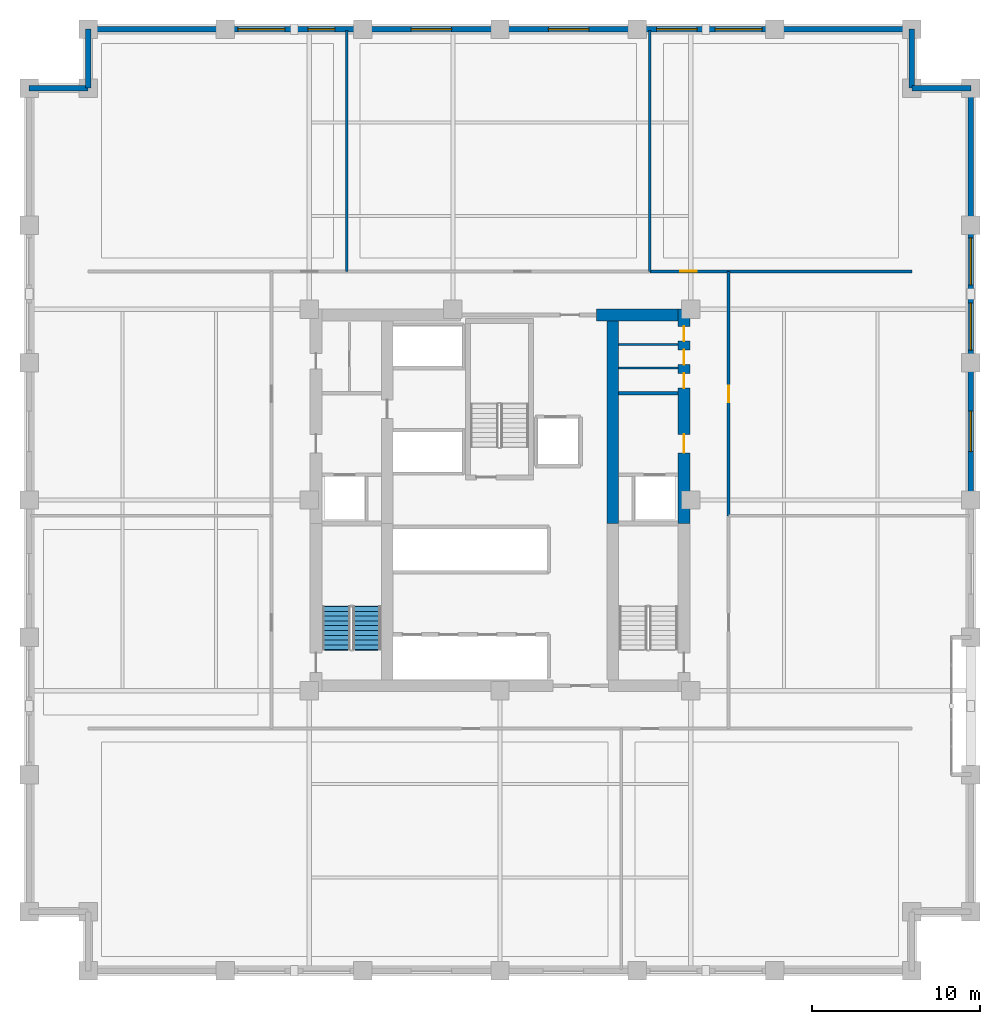
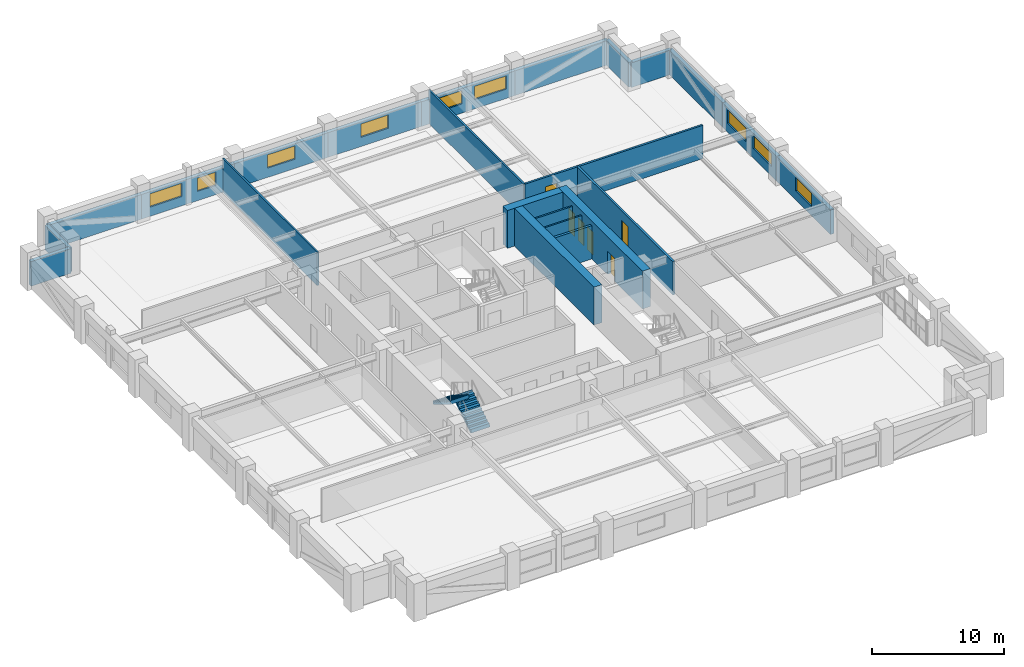
# One storey, part 6 of 12: 23 walls, 9 windows, 6 doors, 2 stair flights, 15 openings, 1 element without a shape of its own.
"""IFC4 building model written with IfcOpenShell, lengths in metres."""

from ifc_helpers import new_model, si_unit, direction, frame, frame_2d, origin, place, context, subcontext, project, spatial, polyline, rectangle, outline, extrude, material, layer, layer_set, type_object, element, fill, aggregate, save


model = new_model("IFC4")

# Units and contexts
model_context = context("Model", 3, precision=1e-05, world=origin(), true_north=direction((0.0, 1.0)))
body_context = subcontext(model_context, "Body", "Model", "MODEL_VIEW")
ifc_project = project(units=[si_unit("LENGTHUNIT", "METRE"), si_unit("AREAUNIT", "SQUARE_METRE"), si_unit("VOLUMEUNIT", "CUBIC_METRE"), si_unit("PLANEANGLEUNIT", "RADIAN"), si_unit("MASSUNIT", "GRAM", prefix="KILO")], contexts=[model_context])

# Site, building, storey
site_placement = place(None, origin())
site = spatial("IfcSite", under=ifc_project, at=site_placement, CompositionType="ELEMENT")
building_placement = place(site_placement, origin())
building = spatial("IfcBuilding", under=site, at=building_placement, Name="Nhamokura Convention Tower", CompositionType="ELEMENT")
storey_placement = place(building_placement, frame((0.0, 0.0, 96.25)))
storey = spatial("IfcBuildingStorey", under=building, at=storey_placement, Name="L23", CompositionType="ELEMENT", Elevation=96.25)

# Walls
ifc_material_1 = material(Name="Moisture-resistant tile-backer partition", Category="masonry")
ifc_layer_1 = layer(ifc_material_1, 0.139892578125)
ifc_layer_set_1 = layer_set([ifc_layer_1], Name="BathroomWetWall_140")
wall_type_1 = type_object("IfcWallType", Name="BathroomWetWall_140", PredefinedType="STANDARD", material=ifc_layer_set_1)
for number, where, z_axis, x_axis, name in (
    (1, (39.06005859375, 39.85009765625, 0.0), (0.0, 0.0, 1.0), (1.0, 0.0, 0.0), "L23 Wall INT-L23-CWNE1"),
    (2, (39.06005859375, 41.25, 0.0), (0.0, 0.0, 1.0), (1.0, 0.0, 0.0), "L23 Wall INT-L23-CWNE2"),
):
    element("IfcWall", number, at=place(storey_placement, frame(where, z_axis=z_axis, x_axis=x_axis)), inside=storey, type_object=wall_type_1, Name=name, PredefinedType="STANDARD", context=body_context, shape_type="SweptSolid", body=[
        extrude(rectangle(XDim=3.530029296875, YDim=0.139892578125, at=frame_2d((1.76513671875, 0.0))), origin(), (0.0, 0.0, 1.0), 3.080078125),
    ])
ifc_material_2 = material(Name="Bronze-pigmented precast concrete C45/55", Category="concrete")
ifc_layer_2 = layer(ifc_material_2, 0.320068359375)
ifc_layer_set_2 = layer_set([ifc_layer_2], Name="BronzePrecastSpandrel_320")
wall_type_2 = type_object("IfcWallType", Name="BronzePrecastSpandrel_320", PredefinedType="USERDEFINED", material=ifc_layer_set_2)
wall_1_placement = place(storey_placement, frame((7.5, 60.0, 0.0), z_axis=(0.0, 0.0, 1.0), x_axis=(1.0, 0.0, 0.0)))
element("IfcWall", 3, at=wall_1_placement, inside=storey, type_object=wall_type_2, Name="L23 Braced-Bay Precast Wall NORTH 0", ObjectType="SPANDREL_WALL", PredefinedType="USERDEFINED", context=body_context, shape_type="SweptSolid", body=[
    extrude(rectangle(XDim=8.166748046875, YDim=0.320068359375, at=frame_2d((4.08349609375, 0.0))), origin(), (0.0, 0.0, 1.0), 2.280029296875),
])

# Wall, openings, windows
wall_2_placement = place(storey_placement, frame((15.666748046875, 60.0, 0.0), z_axis=(0.0, 0.0, 1.0), x_axis=(1.0, 0.0, 0.0)))
wall_2 = element("IfcWall", 4, at=wall_2_placement, inside=storey, type_object=wall_type_2, Name="L23 Masonry-Frame Wall NORTH 1", ObjectType="SPANDREL_WALL", PredefinedType="USERDEFINED", context=body_context, shape_type="SweptSolid", body=[
    extrude(rectangle(XDim=8.16650390625, YDim=0.320068359375, at=frame_2d((4.083251953125, 0.0))), origin(), (0.0, 0.0, 1.0), 2.280029296875),
])
opening_1_placement = place(wall_2_placement, frame((0.74169921875, 0.0, 0.85009765625)))
opening_1 = element("IfcOpeningElement", 5, at=opening_1_placement, cuts=wall_2, Name="Opening W-04", PredefinedType="OPENING", context=body_context, shape_type="SweptSolid", body=[
    extrude(rectangle(XDim=2.800048828125, YDim=1.22998046875, at=frame_2d((1.39990234375, 0.614990234375))), frame((0.0, 0.169921875, 0.0), z_axis=(0.0, -1.0, 0.0), x_axis=(1.0, 0.0, 0.0)), (0.0, 0.0, 1.0), 0.340087890625),
])
opening_2_placement = place(wall_2_placement, frame((4.912353515625, 0.0, 0.85009765625)))
opening_2 = element("IfcOpeningElement", 6, at=opening_2_placement, cuts=wall_2, Name="Opening W-11", PredefinedType="OPENING", context=body_context, shape_type="SweptSolid", body=[
    extrude(rectangle(XDim=1.60009765625, YDim=1.22998046875, at=frame_2d((0.800048828125, 0.614990234375))), frame((0.0, 0.169921875, 0.0), z_axis=(0.0, -1.0, 0.0), x_axis=(1.0, 0.0, 0.0)), (0.0, 0.0, 1.0), 0.340087890625),
])
ifc_material_3 = material(Name="Solar-control bronze low-E double glass", Category="glass")
window_type_1 = type_object("IfcWindowType", Name="HotelSuiteWindow_2800", PartitioningType="DOUBLE_PANEL_VERTICAL", PredefinedType="WINDOW", material=ifc_material_3)
window_1_placement = place(opening_1_placement, origin())
window_1 = element("IfcWindow", 7, at=window_1_placement, inside=storey, type_object=window_type_1, Name="L23 Facade Window NORTH 1-1", OverallHeight=1.22998046875, OverallWidth=2.800048828125, PartitioningType="SINGLE_PANEL", PredefinedType="WINDOW", context=body_context, shape_type="SweptSolid", body=[
    extrude(rectangle(XDim=2.800048828125, YDim=1.22998046875, at=frame_2d((1.39990234375, 0.614990234375))), frame((0.0, 0.030029296875, 0.0), z_axis=(0.0, -1.0, 0.0), x_axis=(1.0, 0.0, 0.0)), (0.0, 0.0, 1.0), 0.06005859375),
])
fill(opening_1, window_1)
ifc_material_4 = material(Name="Solar-control bronze low-E double glass", Category="glass")
window_type_2 = type_object("IfcWindowType", Name="NotchCornerWindow_1600", PartitioningType="SINGLE_PANEL", PredefinedType="WINDOW", material=ifc_material_4)
window_2_placement = place(opening_2_placement, origin())
window_2 = element("IfcWindow", 8, at=window_2_placement, inside=storey, type_object=window_type_2, Name="L23 Facade Window NORTH 1-2", OverallHeight=1.22998046875, OverallWidth=1.60009765625, PartitioningType="SINGLE_PANEL", PredefinedType="WINDOW", context=body_context, shape_type="SweptSolid", body=[
    extrude(rectangle(XDim=1.60009765625, YDim=1.22998046875, at=frame_2d((0.800048828125, 0.614990234375))), frame((0.0, 0.030029296875, 0.0), z_axis=(0.0, -1.0, 0.0), x_axis=(1.0, 0.0, 0.0)), (0.0, 0.0, 1.0), 0.06005859375),
])
fill(opening_2, window_2)

# Wall, opening, window
wall_3_placement = place(storey_placement, frame((23.833251953125, 60.0, 0.0), z_axis=(0.0, 0.0, 1.0), x_axis=(1.0, 0.0, 0.0)))
wall_3 = element("IfcWall", 9, at=wall_3_placement, inside=storey, type_object=wall_type_2, Name="L23 Masonry-Frame Wall NORTH 2", ObjectType="SPANDREL_WALL", PredefinedType="USERDEFINED", context=body_context, shape_type="SweptSolid", body=[
    extrude(rectangle(XDim=8.166748046875, YDim=0.320068359375, at=frame_2d((4.08349609375, 0.0))), origin(), (0.0, 0.0, 1.0), 2.280029296875),
])
opening_3_placement = place(wall_3_placement, frame((2.88330078125, 0.0, 0.85009765625)))
opening_3 = element("IfcOpeningElement", 10, at=opening_3_placement, cuts=wall_3, Name="Opening W-03", PredefinedType="OPENING", context=body_context, shape_type="SweptSolid", body=[
    extrude(rectangle(XDim=2.39990234375, YDim=1.22998046875, at=frame_2d((1.199951171875, 0.614990234375))), frame((0.0, 0.169921875, 0.0), z_axis=(0.0, -1.0, 0.0), x_axis=(1.0, 0.0, 0.0)), (0.0, 0.0, 1.0), 0.340087890625),
])
ifc_material_5 = material(Name="Solar-control bronze low-E double glass", Category="glass")
window_type_3 = type_object("IfcWindowType", Name="HotelBayWindow_2400", PartitioningType="DOUBLE_PANEL_VERTICAL", PredefinedType="WINDOW", material=ifc_material_5)
window_3_placement = place(opening_3_placement, origin())
window_3 = element("IfcWindow", 11, at=window_3_placement, inside=storey, type_object=window_type_3, Name="L23 Facade Window NORTH 2", OverallHeight=1.22998046875, OverallWidth=2.39990234375, PartitioningType="SINGLE_PANEL", PredefinedType="WINDOW", context=body_context, shape_type="SweptSolid", body=[
    extrude(rectangle(XDim=2.39990234375, YDim=1.22998046875, at=frame_2d((1.199951171875, 0.614990234375))), frame((0.0, 0.030029296875, 0.0), z_axis=(0.0, -1.0, 0.0), x_axis=(1.0, 0.0, 0.0)), (0.0, 0.0, 1.0), 0.06005859375),
])
fill(opening_3, window_3)

wall_4_placement = place(storey_placement, frame((32.0, 60.0, 0.0), z_axis=(0.0, 0.0, 1.0), x_axis=(1.0, 0.0, 0.0)))
wall_4 = element("IfcWall", 12, at=wall_4_placement, inside=storey, type_object=wall_type_2, Name="L23 Masonry-Frame Wall NORTH 3", ObjectType="SPANDREL_WALL", PredefinedType="USERDEFINED", context=body_context, shape_type="SweptSolid", body=[
    extrude(rectangle(XDim=8.166748046875, YDim=0.320068359375, at=frame_2d((4.08349609375, 0.0))), origin(), (0.0, 0.0, 1.0), 2.280029296875),
])
opening_4_placement = place(wall_4_placement, frame((2.88330078125, 0.0, 0.85009765625)))
opening_4 = element("IfcOpeningElement", 13, at=opening_4_placement, cuts=wall_4, Name="Opening W-03", PredefinedType="OPENING", context=body_context, shape_type="SweptSolid", body=[
    extrude(rectangle(XDim=2.39990234375, YDim=1.22998046875, at=frame_2d((1.199951171875, 0.614990234375))), frame((0.0, 0.169921875, 0.0), z_axis=(0.0, -1.0, 0.0), x_axis=(1.0, 0.0, 0.0)), (0.0, 0.0, 1.0), 0.340087890625),
])
window_4_placement = place(opening_4_placement, origin())
window_4 = element("IfcWindow", 14, at=window_4_placement, inside=storey, type_object=window_type_3, Name="L23 Facade Window NORTH 3", OverallHeight=1.22998046875, OverallWidth=2.39990234375, PartitioningType="SINGLE_PANEL", PredefinedType="WINDOW", context=body_context, shape_type="SweptSolid", body=[
    extrude(rectangle(XDim=2.39990234375, YDim=1.22998046875, at=frame_2d((1.199951171875, 0.614990234375))), frame((0.0, 0.030029296875, 0.0), z_axis=(0.0, -1.0, 0.0), x_axis=(1.0, 0.0, 0.0)), (0.0, 0.0, 1.0), 0.06005859375),
])
fill(opening_4, window_4)

# Wall, openings, windows
wall_5_placement = place(storey_placement, frame((40.166748046875, 60.0, 0.0), z_axis=(0.0, 0.0, 1.0), x_axis=(1.0, 0.0, 0.0)))
wall_5 = element("IfcWall", 15, at=wall_5_placement, inside=storey, type_object=wall_type_2, Name="L23 Masonry-Frame Wall NORTH 4", ObjectType="SPANDREL_WALL", PredefinedType="USERDEFINED", context=body_context, shape_type="SweptSolid", body=[
    extrude(rectangle(XDim=8.16650390625, YDim=0.320068359375, at=frame_2d((4.083251953125, 0.0))), origin(), (0.0, 0.0, 1.0), 2.280029296875),
])
opening_5_placement = place(wall_5_placement, frame((1.154296875, 0.0, 0.85009765625)))
opening_5 = element("IfcOpeningElement", 16, at=opening_5_placement, cuts=wall_5, Name="Opening W-03", PredefinedType="OPENING", context=body_context, shape_type="SweptSolid", body=[
    extrude(rectangle(XDim=2.39990234375, YDim=1.22998046875, at=frame_2d((1.199951171875, 0.614990234375))), frame((0.0, 0.169921875, 0.0), z_axis=(0.0, -1.0, 0.0), x_axis=(1.0, 0.0, 0.0)), (0.0, 0.0, 1.0), 0.340087890625),
])
opening_6_placement = place(wall_5_placement, frame((4.625, 0.0, 0.85009765625)))
opening_6 = element("IfcOpeningElement", 17, at=opening_6_placement, cuts=wall_5, Name="Opening W-04", PredefinedType="OPENING", context=body_context, shape_type="SweptSolid", body=[
    extrude(rectangle(XDim=2.800048828125, YDim=1.22998046875, at=frame_2d((1.39990234375, 0.614990234375))), frame((0.0, 0.169921875, 0.0), z_axis=(0.0, -1.0, 0.0), x_axis=(1.0, 0.0, 0.0)), (0.0, 0.0, 1.0), 0.340087890625),
])
window_5_placement = place(opening_5_placement, origin())
window_5 = element("IfcWindow", 18, at=window_5_placement, inside=storey, type_object=window_type_3, Name="L23 Facade Window NORTH 4-1", OverallHeight=1.22998046875, OverallWidth=2.39990234375, PartitioningType="SINGLE_PANEL", PredefinedType="WINDOW", context=body_context, shape_type="SweptSolid", body=[
    extrude(rectangle(XDim=2.39990234375, YDim=1.22998046875, at=frame_2d((1.199951171875, 0.614990234375))), frame((0.0, 0.030029296875, 0.0), z_axis=(0.0, -1.0, 0.0), x_axis=(1.0, 0.0, 0.0)), (0.0, 0.0, 1.0), 0.06005859375),
])
fill(opening_5, window_5)
window_6_placement = place(opening_6_placement, origin())
window_6 = element("IfcWindow", 19, at=window_6_placement, inside=storey, type_object=window_type_1, Name="L23 Facade Window NORTH 4-2", OverallHeight=1.22998046875, OverallWidth=2.800048828125, PartitioningType="SINGLE_PANEL", PredefinedType="WINDOW", context=body_context, shape_type="SweptSolid", body=[
    extrude(rectangle(XDim=2.800048828125, YDim=1.22998046875, at=frame_2d((1.39990234375, 0.614990234375))), frame((0.0, 0.030029296875, 0.0), z_axis=(0.0, -1.0, 0.0), x_axis=(1.0, 0.0, 0.0)), (0.0, 0.0, 1.0), 0.06005859375),
])
fill(opening_6, window_6)

# Wall
wall_6_placement = place(storey_placement, frame((48.333251953125, 60.0, 0.0), z_axis=(0.0, 0.0, 1.0), x_axis=(1.0, 0.0, 0.0)))
element("IfcWall", 20, at=wall_6_placement, inside=storey, type_object=wall_type_2, Name="L23 Braced-Bay Precast Wall NORTH 5", ObjectType="SPANDREL_WALL", PredefinedType="USERDEFINED", context=body_context, shape_type="SweptSolid", body=[
    extrude(rectangle(XDim=8.166748046875, YDim=0.320068359375, at=frame_2d((4.08349609375, 0.0))), origin(), (0.0, 0.0, 1.0), 2.280029296875),
])

# Wall, opening, window
wall_7_placement = place(storey_placement, frame((60.0, 40.166748046875, 0.0), z_axis=(0.0, 0.0, 1.0), x_axis=(0.0, -1.0, 0.0)))
wall_7 = element("IfcWall", 21, at=wall_7_placement, inside=storey, type_object=wall_type_2, Name="L23 Masonry-Frame Wall EAST 3", ObjectType="SPANDREL_WALL", PredefinedType="USERDEFINED", context=body_context, shape_type="SweptSolid", body=[
    extrude(rectangle(XDim=8.166748046875, YDim=0.320068359375, at=frame_2d((4.08349609375, 0.0))), origin(), (0.0, 0.0, 1.0), 2.280029296875),
])
opening_7_placement = place(wall_7_placement, frame((2.88330078125, 0.0, 0.85009765625)))
opening_7 = element("IfcOpeningElement", 22, at=opening_7_placement, cuts=wall_7, Name="Opening W-03", PredefinedType="OPENING", context=body_context, shape_type="SweptSolid", body=[
    extrude(rectangle(XDim=2.39990234375, YDim=1.22998046875, at=frame_2d((1.199951171875, 0.614990234375))), frame((0.0, 0.169921875, 0.0), z_axis=(0.0, -1.0, 0.0), x_axis=(1.0, 0.0, 0.0)), (0.0, 0.0, 1.0), 0.340087890625),
])
window_7_placement = place(opening_7_placement, origin())
window_7 = element("IfcWindow", 23, at=window_7_placement, inside=storey, type_object=window_type_3, Name="L23 Facade Window EAST 3", OverallHeight=1.22998046875, OverallWidth=2.39990234375, PartitioningType="SINGLE_PANEL", PredefinedType="WINDOW", context=body_context, shape_type="SweptSolid", body=[
    extrude(rectangle(XDim=2.39990234375, YDim=1.22998046875, at=frame_2d((1.199951171875, 0.614990234375))), frame((0.0, 0.030029296875, 0.0), z_axis=(0.0, -1.0, 0.0), x_axis=(1.0, 0.0, 0.0)), (0.0, 0.0, 1.0), 0.06005859375),
])
fill(opening_7, window_7)

# Wall, openings, windows
wall_8_placement = place(storey_placement, frame((60.0, 48.333251953125, 0.0), z_axis=(0.0, 0.0, 1.0), x_axis=(0.0, -1.0, 0.0)))
wall_8 = element("IfcWall", 24, at=wall_8_placement, inside=storey, type_object=wall_type_2, Name="L23 Masonry-Frame Wall EAST 4", ObjectType="SPANDREL_WALL", PredefinedType="USERDEFINED", context=body_context, shape_type="SweptSolid", body=[
    extrude(rectangle(XDim=8.16650390625, YDim=0.320068359375, at=frame_2d((4.083251953125, 0.0))), origin(), (0.0, 0.0, 1.0), 2.280029296875),
])
opening_8_placement = place(wall_8_placement, frame((0.74169921875, 0.0, 0.85009765625)))
opening_8 = element("IfcOpeningElement", 25, at=opening_8_placement, cuts=wall_8, Name="Opening W-04", PredefinedType="OPENING", context=body_context, shape_type="SweptSolid", body=[
    extrude(rectangle(XDim=2.800048828125, YDim=1.22998046875, at=frame_2d((1.39990234375, 0.614990234375))), frame((0.0, 0.169921875, 0.0), z_axis=(0.0, -1.0, 0.0), x_axis=(1.0, 0.0, 0.0)), (0.0, 0.0, 1.0), 0.340087890625),
])
opening_9_placement = place(wall_8_placement, frame((4.625, 0.0, 0.85009765625)))
opening_9 = element("IfcOpeningElement", 26, at=opening_9_placement, cuts=wall_8, Name="Opening W-04", PredefinedType="OPENING", context=body_context, shape_type="SweptSolid", body=[
    extrude(rectangle(XDim=2.800048828125, YDim=1.22998046875, at=frame_2d((1.39990234375, 0.614990234375))), frame((0.0, 0.169921875, 0.0), z_axis=(0.0, -1.0, 0.0), x_axis=(1.0, 0.0, 0.0)), (0.0, 0.0, 1.0), 0.340087890625),
])
window_8_placement = place(opening_8_placement, origin())
window_8 = element("IfcWindow", 27, at=window_8_placement, inside=storey, type_object=window_type_1, Name="L23 Facade Window EAST 4-1", OverallHeight=1.22998046875, OverallWidth=2.800048828125, PartitioningType="SINGLE_PANEL", PredefinedType="WINDOW", context=body_context, shape_type="SweptSolid", body=[
    extrude(rectangle(XDim=2.800048828125, YDim=1.22998046875, at=frame_2d((1.39990234375, 0.614990234375))), frame((0.0, 0.030029296875, 0.0), z_axis=(0.0, -1.0, 0.0), x_axis=(1.0, 0.0, 0.0)), (0.0, 0.0, 1.0), 0.06005859375),
])
fill(opening_8, window_8)
window_9_placement = place(opening_9_placement, origin())
window_9 = element("IfcWindow", 28, at=window_9_placement, inside=storey, type_object=window_type_1, Name="L23 Facade Window EAST 4-2", OverallHeight=1.22998046875, OverallWidth=2.800048828125, PartitioningType="SINGLE_PANEL", PredefinedType="WINDOW", context=body_context, shape_type="SweptSolid", body=[
    extrude(rectangle(XDim=2.800048828125, YDim=1.22998046875, at=frame_2d((1.39990234375, 0.614990234375))), frame((0.0, 0.030029296875, 0.0), z_axis=(0.0, -1.0, 0.0), x_axis=(1.0, 0.0, 0.0)), (0.0, 0.0, 1.0), 0.06005859375),
])
fill(opening_9, window_9)

# Walls
wall_9_placement = place(storey_placement, frame((60.0, 56.5, 0.0), z_axis=(0.0, 0.0, 1.0), x_axis=(0.0, -1.0, 0.0)))
element("IfcWall", 29, at=wall_9_placement, inside=storey, type_object=wall_type_2, Name="L23 Braced-Bay Precast Wall EAST 5", ObjectType="SPANDREL_WALL", PredefinedType="USERDEFINED", context=body_context, shape_type="SweptSolid", body=[
    extrude(rectangle(XDim=8.166748046875, YDim=0.320068359375, at=frame_2d((4.08349609375, 0.0))), origin(), (0.0, 0.0, 1.0), 2.280029296875),
])
for number, where, z_axis, x_axis, name in (
    (30, (56.5, 56.5, 0.0), (0.0, 0.0, 1.0), (1.0, 0.0, 0.0), "L23 Notched Corner Wall NE1"),
    (31, (56.5, 60.0, 0.0), (0.0, 0.0, 1.0), (0.0, -1.0, 0.0), "L23 Notched Corner Wall NE2"),
    (32, (7.5, 56.5, 0.0), (0.0, 0.0, 1.0), (0.0, 1.0, 0.0), "L23 Notched Corner Wall NW1"),
    (33, (4.0, 56.5, 0.0), (0.0, 0.0, 1.0), (1.0, 0.0, 0.0), "L23 Notched Corner Wall NW2"),
):
    element("IfcWall", number, at=place(storey_placement, frame(where, z_axis=z_axis, x_axis=x_axis)), inside=storey, type_object=wall_type_2, Name=name, ObjectType="SPANDREL_WALL", PredefinedType="USERDEFINED", context=body_context, shape_type="SweptSolid", body=[
        extrude(rectangle(XDim=3.5, YDim=0.320068359375, at=frame_2d((1.75, 0.0))), origin(), (0.0, 0.0, 1.0), 2.280029296875),
    ])

# Wall, openings, doors
ifc_material_6 = material(Name="Concrete C70/85", Category="concrete")
ifc_layer_3 = layer(ifc_material_6, 0.699951171875)
ifc_layer_set_3 = layer_set([ifc_layer_3], Name="CoreShearWall_700")
wall_type_3 = type_object("IfcWallType", Name="CoreShearWall_700", PredefinedType="SHEAR", material=ifc_layer_set_3)
wall_10_placement = place(storey_placement, frame((42.93994140625, 30.60009765625, 0.0), z_axis=(0.0, 0.0, 1.0), x_axis=(0.0, 1.0, 0.0)))
wall_10 = element("IfcWall", 34, at=wall_10_placement, inside=storey, type_object=wall_type_3, Name="L23 Core Shear Wall CW-EN", PredefinedType="SHEAR", context=body_context, shape_type="SweptSolid", body=[
    extrude(rectangle(XDim=12.75, YDim=0.699951171875, at=frame_2d((6.375, 0.0))), origin(), (0.0, 0.0, 1.0), 3.5),
])
opening_10_placement = place(wall_10_placement, frame((4.199951171875, 0.0, 0.0)))
opening_10 = element("IfcOpeningElement", 35, at=opening_10_placement, cuts=wall_10, Name="Opening D-05", PredefinedType="OPENING", context=body_context, shape_type="SweptSolid", body=[
    extrude(rectangle(XDim=1.10009765625, YDim=2.14990234375, at=frame_2d((0.550048828125, 1.074951171875))), frame((0.0, 0.35986328125, 0.0), z_axis=(0.0, -1.0, 0.0), x_axis=(1.0, 0.0, 0.0)), (0.0, 0.0, 1.0), 0.719970703125),
])
opening_11_placement = place(wall_10_placement, frame((8.050048828125, 0.0, 0.0)))
opening_11 = element("IfcOpeningElement", 36, at=opening_11_placement, cuts=wall_10, Name="Opening D-11", PredefinedType="OPENING", context=body_context, shape_type="SweptSolid", body=[
    extrude(rectangle(XDim=0.8798828125, YDim=2.10009765625, at=frame_2d((0.43994140625, 1.050048828125))), frame((0.0, 0.35986328125, 0.0), z_axis=(0.0, -1.0, 0.0), x_axis=(1.0, 0.0, 0.0)), (0.0, 0.0, 1.0), 0.719970703125),
])
opening_12_placement = place(wall_10_placement, frame((9.449951171875, 0.0, 0.0)))
opening_12 = element("IfcOpeningElement", 37, at=opening_12_placement, cuts=wall_10, Name="Opening D-11", PredefinedType="OPENING", context=body_context, shape_type="SweptSolid", body=[
    extrude(rectangle(XDim=0.8798828125, YDim=2.10009765625, at=frame_2d((0.43994140625, 1.050048828125))), frame((0.0, 0.35986328125, 0.0), z_axis=(0.0, -1.0, 0.0), x_axis=(1.0, 0.0, 0.0)), (0.0, 0.0, 1.0), 0.719970703125),
])
opening_13_placement = place(wall_10_placement, frame((10.85009765625, 0.0, 0.0)))
opening_13 = element("IfcOpeningElement", 38, at=opening_13_placement, cuts=wall_10, Name="Opening D-11", PredefinedType="OPENING", context=body_context, shape_type="SweptSolid", body=[
    extrude(rectangle(XDim=0.8798828125, YDim=2.10009765625, at=frame_2d((0.43994140625, 1.050048828125))), frame((0.0, 0.35986328125, 0.0), z_axis=(0.0, -1.0, 0.0), x_axis=(1.0, 0.0, 0.0)), (0.0, 0.0, 1.0), 0.719970703125),
])
ifc_material_7 = material(Name="Solid oak hardwood", Category="wood")
door_type_1 = type_object("IfcDoorType", Name="BathroomDoor_880", OperationType="NOTDEFINED", PredefinedType="DOOR", material=ifc_material_7)
door_1_placement = place(opening_11_placement, origin())
door_1 = element("IfcDoor", 39, at=door_1_placement, inside=storey, type_object=door_type_1, Name="L23 Core Door INT-L23-D-MWC", OperationType="SINGLE_SWING_LEFT", OverallHeight=2.10009765625, OverallWidth=0.8798828125, PredefinedType="DOOR", context=body_context, shape_type="SweptSolid", body=[
    extrude(rectangle(XDim=0.8798828125, YDim=2.10009765625, at=frame_2d((0.43994140625, 1.050048828125))), frame((0.0, 0.02490234375, 0.0), z_axis=(0.0, -1.0, 0.0), x_axis=(1.0, 0.0, 0.0)), (0.0, 0.0, 1.0), 0.050048828125),
])
fill(opening_11, door_1)
door_2_placement = place(opening_12_placement, origin())
door_2 = element("IfcDoor", 40, at=door_2_placement, inside=storey, type_object=door_type_1, Name="L23 Core Door INT-L23-D-FWC", OperationType="SINGLE_SWING_RIGHT", OverallHeight=2.10009765625, OverallWidth=0.8798828125, PredefinedType="DOOR", context=body_context, shape_type="SweptSolid", body=[
    extrude(rectangle(XDim=0.8798828125, YDim=2.10009765625, at=frame_2d((0.43994140625, 1.050048828125))), frame((0.0, 0.02490234375, 0.0), z_axis=(0.0, -1.0, 0.0), x_axis=(1.0, 0.0, 0.0)), (0.0, 0.0, 1.0), 0.050048828125),
])
fill(opening_12, door_2)
door_3_placement = place(opening_13_placement, origin())
door_3 = element("IfcDoor", 41, at=door_3_placement, inside=storey, type_object=door_type_1, Name="L23 Core Door INT-L23-D-ARC", OperationType="SINGLE_SWING_LEFT", OverallHeight=2.10009765625, OverallWidth=0.8798828125, PredefinedType="DOOR", context=body_context, shape_type="SweptSolid", body=[
    extrude(rectangle(XDim=0.8798828125, YDim=2.10009765625, at=frame_2d((0.43994140625, 1.050048828125))), frame((0.0, 0.02490234375, 0.0), z_axis=(0.0, -1.0, 0.0), x_axis=(1.0, 0.0, 0.0)), (0.0, 0.0, 1.0), 0.050048828125),
])
fill(opening_13, door_3)
ifc_material_8 = material(Name="Fire-rated steel door", Category="steel")
door_type_2 = type_object("IfcDoorType", Name="FireLobbyDoor_1100", OperationType="NOTDEFINED", PredefinedType="DOOR", material=ifc_material_8)
door_4_placement = place(opening_10_placement, origin())
door_4 = element("IfcDoor", 42, at=door_4_placement, inside=storey, type_object=door_type_2, Name="L23 Core Door INT-L23-D-FFLE", OperationType="SINGLE_SWING_LEFT", OverallHeight=2.14990234375, OverallWidth=1.10009765625, PredefinedType="DOOR", context=body_context, shape_type="SweptSolid", body=[
    extrude(rectangle(XDim=1.10009765625, YDim=2.14990234375, at=frame_2d((0.550048828125, 1.074951171875))), frame((0.0, 0.02490234375, 0.0), z_axis=(0.0, -1.0, 0.0), x_axis=(1.0, 0.0, 0.0)), (0.0, 0.0, 1.0), 0.050048828125),
])
fill(opening_10, door_4)

# Walls
wall_11_placement = place(storey_placement, frame((37.75, 43.0, 0.0), z_axis=(0.0, 0.0, 1.0), x_axis=(1.0, 0.0, 0.0)))
element("IfcWall", 43, at=wall_11_placement, inside=storey, type_object=wall_type_3, Name="L23 Core Shear Wall CW-N2", PredefinedType="SHEAR", context=body_context, shape_type="SweptSolid", body=[
    extrude(rectangle(XDim=4.840087890625, YDim=0.699951171875, at=frame_2d((2.419921875, 0.0))), origin(), (0.0, 0.0, 1.0), 3.5),
])
wall_12_placement = place(storey_placement, frame((38.7099609375, 30.60009765625, 0.0), z_axis=(0.0, 0.0, 1.0), x_axis=(0.0, 1.0, 0.0)))
element("IfcWall", 44, at=wall_12_placement, inside=storey, type_object=wall_type_3, Name="L23 Core Shear Wall CW-IEN", PredefinedType="SHEAR", context=body_context, shape_type="SweptSolid", body=[
    extrude(rectangle(XDim=12.0498046875, YDim=0.699951171875, at=frame_2d((6.02490234375, 0.0))), origin(), (0.0, 0.0, 1.0), 3.5),
])

# Wall, opening, door
ifc_material_9 = material(Name="Fire-rated gypsum and masonry partition", Category="masonry")
ifc_layer_4 = layer(ifc_material_9, 0.179931640625)
ifc_layer_set_4 = layer_set([ifc_layer_4], Name="CorridorRatedWall_180")
wall_type_4 = type_object("IfcWallType", Name="CorridorRatedWall_180", PredefinedType="STANDARD", material=ifc_layer_set_4)
wall_13_placement = place(storey_placement, frame((40.916748046875, 45.60009765625, 0.0), z_axis=(0.0, 0.0, 1.0), x_axis=(1.0, 0.0, 0.0)))
wall_13 = element("IfcWall", 45, at=wall_13_placement, inside=storey, type_object=wall_type_4, Name="L23 Wall INT-L23-CW-N02", PredefinedType="STANDARD", context=body_context, shape_type="SweptSolid", body=[
    extrude(rectangle(XDim=15.583251953125, YDim=0.179931640625, at=frame_2d((7.79150390625, 0.0))), origin(), (0.0, 0.0, 1.0), 3.080078125),
])
opening_14_placement = place(wall_13_placement, frame((1.816650390625, 0.0, 0.0)))
opening_14 = element("IfcOpeningElement", 46, at=opening_14_placement, cuts=wall_13, Name="Opening D-08", PredefinedType="OPENING", context=body_context, shape_type="SweptSolid", body=[
    extrude(rectangle(XDim=0.97998046875, YDim=2.199951171875, at=frame_2d((0.489990234375, 1.10009765625))), frame((0.0, 0.099853515625, 0.0), z_axis=(0.0, -1.0, 0.0), x_axis=(1.0, 0.0, 0.0)), (0.0, 0.0, 1.0), 0.199951171875),
])
ifc_material_10 = material(Name="Solid oak hardwood", Category="wood")
door_type_3 = type_object("IfcDoorType", Name="OfficeEntryDoor_980", OperationType="NOTDEFINED", PredefinedType="DOOR", material=ifc_material_10)
door_5_placement = place(opening_14_placement, origin())
door_5 = element("IfcDoor", 47, at=door_5_placement, inside=storey, type_object=door_type_3, Name="L23 Panoramic Lounge N03 Door", OperationType="SINGLE_SWING_LEFT", OverallHeight=2.199951171875, OverallWidth=0.97998046875, PredefinedType="DOOR", context=body_context, shape_type="SweptSolid", body=[
    extrude(rectangle(XDim=0.97998046875, YDim=2.199951171875, at=frame_2d((0.489990234375, 1.10009765625))), frame((0.0, 0.02490234375, 0.0), z_axis=(0.0, -1.0, 0.0), x_axis=(1.0, 0.0, 0.0)), (0.0, 0.0, 1.0), 0.050048828125),
])
fill(opening_14, door_5)

wall_14_placement = place(storey_placement, frame((45.60009765625, 31.050048828125, 0.0), z_axis=(0.0, 0.0, 1.0), x_axis=(0.0, 1.0, 0.0)))
wall_14 = element("IfcWall", 48, at=wall_14_placement, inside=storey, type_object=wall_type_4, Name="L23 Wall INT-L23-CW-E01", PredefinedType="STANDARD", context=body_context, shape_type="SweptSolid", body=[
    extrude(rectangle(XDim=14.550048828125, YDim=0.179931640625, at=frame_2d((7.27490234375, 0.0))), origin(), (0.0, 0.0, 1.0), 3.080078125),
])
opening_15_placement = place(wall_14_placement, frame((6.77490234375, 0.0, 0.0)))
opening_15 = element("IfcOpeningElement", 49, at=opening_15_placement, cuts=wall_14, Name="Opening D-08", PredefinedType="OPENING", context=body_context, shape_type="SweptSolid", body=[
    extrude(rectangle(XDim=0.97998046875, YDim=2.199951171875, at=frame_2d((0.489990234375, 1.10009765625))), frame((0.0, 0.099853515625, 0.0), z_axis=(0.0, -1.0, 0.0), x_axis=(1.0, 0.0, 0.0)), (0.0, 0.0, 1.0), 0.199951171875),
])
door_6_placement = place(opening_15_placement, origin())
door_6 = element("IfcDoor", 50, at=door_6_placement, inside=storey, type_object=door_type_3, Name="L23 Concierge Office E02 Door", OperationType="SINGLE_SWING_RIGHT", OverallHeight=2.199951171875, OverallWidth=0.97998046875, PredefinedType="DOOR", context=body_context, shape_type="SweptSolid", body=[
    extrude(rectangle(XDim=0.97998046875, YDim=2.199951171875, at=frame_2d((0.489990234375, 1.10009765625))), frame((0.0, 0.02490234375, 0.0), z_axis=(0.0, -1.0, 0.0), x_axis=(1.0, 0.0, 0.0)), (0.0, 0.0, 1.0), 0.050048828125),
])
fill(opening_15, door_6)

# Walls
ifc_material_11 = material(Name="Autoclaved concrete blockwork", Category="masonry")
ifc_layer_5 = layer(ifc_material_11, 0.219970703125)
ifc_layer_set_5 = layer_set([ifc_layer_5], Name="FireLobbyWall_220")
wall_type_5 = type_object("IfcWallType", Name="FireLobbyWall_220", PredefinedType="STANDARD", material=ifc_layer_set_5)
wall_15_placement = place(storey_placement, frame((39.06005859375, 38.35009765625, 0.0), z_axis=(0.0, 0.0, 1.0), x_axis=(1.0, 0.0, 0.0)))
element("IfcWall", 51, at=wall_15_placement, inside=storey, type_object=wall_type_5, Name="L23 Wall INT-L23-FFE-N", PredefinedType="STANDARD", context=body_context, shape_type="SweptSolid", body=[
    extrude(rectangle(XDim=3.530029296875, YDim=0.219970703125, at=frame_2d((1.76513671875, 0.0))), origin(), (0.0, 0.0, 1.0), 3.080078125),
])
ifc_material_12 = material(Name="Acoustic gypsum stud partition", Category="masonry")
ifc_layer_6 = layer(ifc_material_12, 0.14990234375)
ifc_layer_set_6 = layer_set([ifc_layer_6], Name="InteriorPartition_150")
wall_type_6 = type_object("IfcWallType", Name="InteriorPartition_150", PredefinedType="STANDARD", material=ifc_layer_set_6)
for number, where, z_axis, x_axis, name in (
    (52, (22.88330078125, 45.60009765625, 0.0), (0.0, 0.0, 1.0), (0.0, 1.0, 0.0), "L23 Wall INT-L23-RW-N01"),
    (53, (40.916748046875, 45.60009765625, 0.0), (0.0, 0.0, 1.0), (0.0, 1.0, 0.0), "L23 Wall INT-L23-RW-N02"),
):
    element("IfcWall", number, at=place(storey_placement, frame(where, z_axis=z_axis, x_axis=x_axis)), inside=storey, type_object=wall_type_6, Name=name, PredefinedType="STANDARD", context=body_context, shape_type="SweptSolid", body=[
        extrude(rectangle(XDim=14.33984375, YDim=0.14990234375, at=frame_2d((7.169921875, 0.0))), origin(), (0.0, 0.0, 1.0), 3.080078125),
    ])

# Stair, stair flights
ifc_material_13 = material(Name="Concrete C40/50", Category="concrete")
stair_type = type_object("IfcStairType", Name="TowerCoreStair_1650", PredefinedType="HALF_TURN_STAIR", material=ifc_material_13)
stair_placement = place(storey_placement, origin())
stair = element("IfcStair", 54, at=stair_placement, inside=storey, type_object=stair_type, Name="L23 West Core Smokeproof Stair ST-01", PredefinedType="HALF_TURN_STAIR")
ifc_material_14 = material(Name="Concrete C40/50", Category="concrete")
stair_flight_type = type_object("IfcStairFlightType", Name="TowerCoreStair_1650_Flight", PredefinedType="STRAIGHT", material=ifc_material_14)
stair_flight_1_placement = place(storey_placement, frame((24.074951171875, 23.10009765625, 0.0), z_axis=(0.0, 0.0, 1.0), x_axis=(0.0, 1.0, 0.0)))
stair_flight_1 = element("IfcStairFlight", 55, at=stair_flight_1_placement, type_object=stair_flight_type, Name="ST-01 flight 1", NumberOfRisers=10, NumberOfTreads=9, PredefinedType="STRAIGHT", RiserHeight=0.175, TreadLength=0.285, context=body_context, shape_type="SweptSolid", body=[
    extrude(outline(polyline([(-0.0419921875, 0.0), (0.0, 0.175048828125), (0.284912109375, 0.175048828125), (0.284912109375, 0.35009765625), (0.570068359375, 0.35009765625), (0.570068359375, 0.52490234375), (0.85498046875, 0.52490234375), (0.85498046875, 0.699951171875), (1.139892578125, 0.699951171875), (1.139892578125, 0.875), (1.425048828125, 0.875), (1.425048828125, 1.050048828125), (1.7099609375, 1.050048828125), (1.7099609375, 1.22509765625), (1.9951171875, 1.22509765625), (1.9951171875, 1.39990234375), (2.280029296875, 1.39990234375), (2.280029296875, 1.574951171875), (2.56494140625, 1.574951171875), (2.56494140625, 1.75), (2.60693359375, 1.75), (2.60693359375, 1.399169921875), (2.56494140625, 1.399169921875), (0.286376953125, 0.0), (0.02001953125, -0.1298828125), (-0.0419921875, -0.1298828125), (-0.0419921875, 0.0)])), frame((0.0, 0.824951171875, 0.0), z_axis=(0.0, -1.0, 0.0), x_axis=(1.0, 0.0, 0.0)), (0.0, 0.0, 1.0), 1.64990234375),
])
stair_flight_2_placement = place(storey_placement, frame((22.27490234375, 25.6650390625, 1.75), z_axis=(0.0, 0.0, 1.0), x_axis=(0.0, -1.0, 0.0)))
stair_flight_2 = element("IfcStairFlight", 56, at=stair_flight_2_placement, type_object=stair_flight_type, Name="ST-01 flight 2", NumberOfRisers=10, NumberOfTreads=9, PredefinedType="STRAIGHT", RiserHeight=0.175, TreadLength=0.285, context=body_context, shape_type="SweptSolid", body=[
    extrude(outline(polyline([(-0.0419921875, 0.0), (0.0, 0.175048828125), (0.284912109375, 0.175048828125), (0.284912109375, 0.35009765625), (0.570068359375, 0.35009765625), (0.570068359375, 0.52490234375), (0.85498046875, 0.52490234375), (0.85498046875, 0.699951171875), (1.139892578125, 0.699951171875), (1.139892578125, 0.875), (1.425048828125, 0.875), (1.425048828125, 1.050048828125), (1.7099609375, 1.050048828125), (1.7099609375, 1.22509765625), (1.9951171875, 1.22509765625), (1.9951171875, 1.39990234375), (2.280029296875, 1.39990234375), (2.280029296875, 1.574951171875), (2.56494140625, 1.574951171875), (2.56494140625, 1.75), (2.60693359375, 1.75), (2.60693359375, 1.399169921875), (2.56494140625, 1.399169921875), (0.286376953125, 0.0), (0.02001953125, -0.1298828125), (-0.0419921875, -0.1298828125), (-0.0419921875, 0.0)])), frame((0.0, 0.824951171875, 0.0), z_axis=(0.0, -1.0, 0.0), x_axis=(1.0, 0.0, 0.0)), (0.0, 0.0, 1.0), 1.64990234375),
])
aggregate(stair, [stair_flight_1, stair_flight_2])

save(model, "model.ifc")
